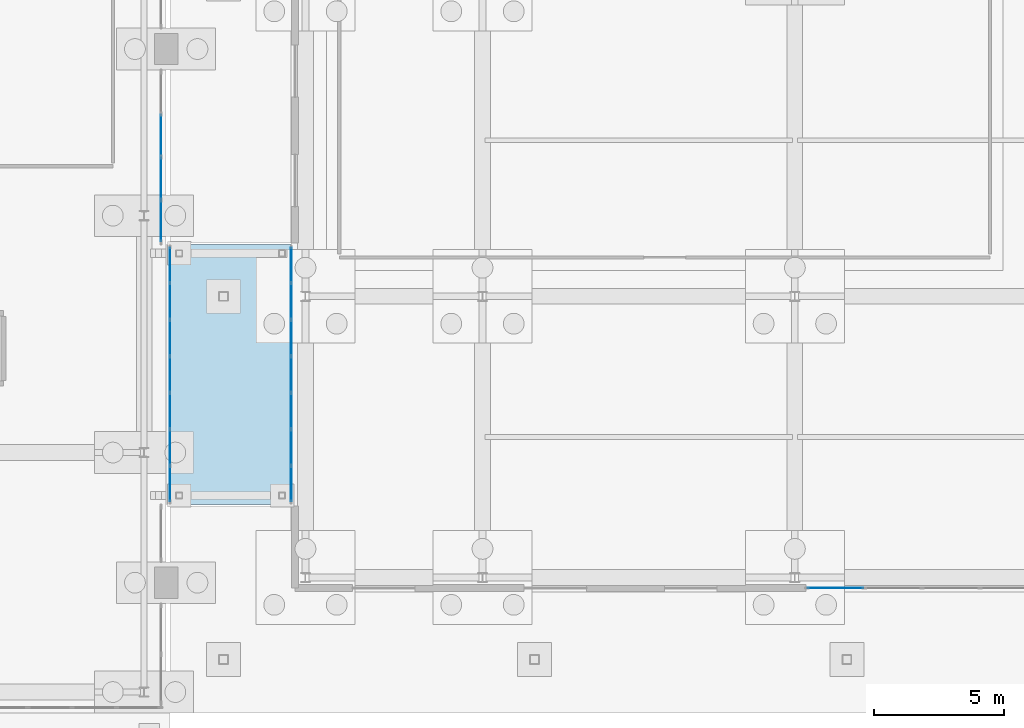
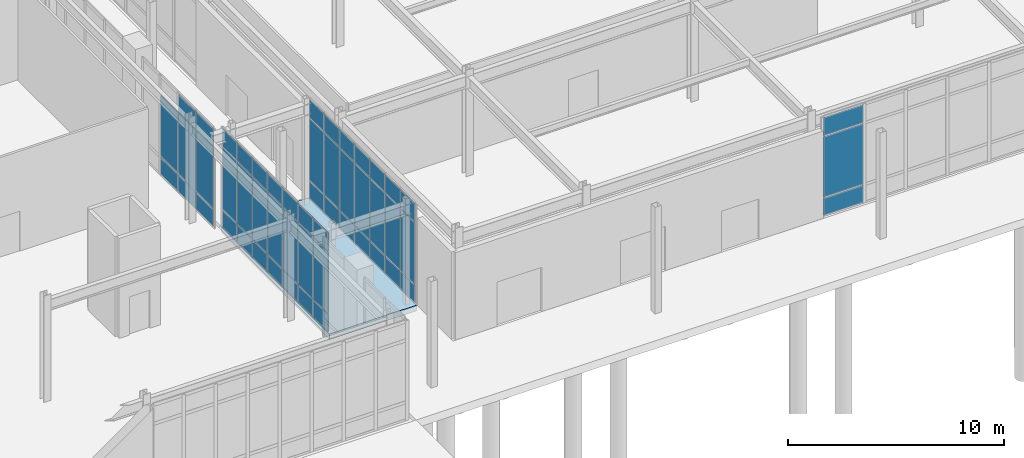
# One storey, part 88 of 143: 53 plates, 1 slab, 4 elements without a shape of their own.
"""IFC4 building model written with IfcOpenShell, lengths in metres."""

from ifc_helpers import new_model, si_unit, derived_unit, direction, frame, origin, origin_2d, place, context, subcontext, project, spatial, polyline, rectangle, outline, extrude, material, layer, layer_set, type_object, element, aggregate, save


model = new_model("IFC4")

# Units and contexts
model_context = context("Model", 3, precision=1e-05, world=origin(), true_north=direction((0.0, 1.0)))
body_context = subcontext(model_context, "Body", "Model", "MODEL_VIEW")
ifc_project = project(units=[si_unit("LENGTHUNIT", "METRE"), si_unit("AREAUNIT", "SQUARE_METRE"), si_unit("VOLUMEUNIT", "CUBIC_METRE"), si_unit("PLANEANGLEUNIT", "RADIAN"), si_unit("MASSUNIT", "GRAM", prefix="KILO"), derived_unit("THERMALTRANSMITTANCEUNIT", [(si_unit("MASSUNIT", "GRAM", prefix="KILO"), 1), (si_unit("TIMEUNIT", "SECOND"), -3), (si_unit("THERMODYNAMICTEMPERATUREUNIT", "KELVIN"), -1)])], contexts=[model_context])

# Site, building, storey
site_placement = place(None, origin())
site = spatial("IfcSite", under=ifc_project, at=site_placement, CompositionType="ELEMENT")
building_placement = place(site_placement, origin())
building = spatial("IfcBuilding", under=site, at=building_placement, Name="Valcora Ridge Arena", CompositionType="ELEMENT")
storey_placement = place(building_placement, origin())
storey = spatial("IfcBuildingStorey", under=building, at=storey_placement, Name="L00", CompositionType="ELEMENT", Elevation=0.0)

# Curtain wall, plates
ifc_material_1 = material(Name="Anodised dark bronze architectural aluminium 6063-T6", Category="aluminium")
ifc_layer_1 = layer(ifc_material_1, 0.14990234375, Name="Anodised dark bronze architectural aluminium 6063-T6")
ifc_layer_set_1 = layer_set([ifc_layer_1], Name="Anodised dark bronze architectural aluminium 6063-T6")
curtain_wall_type_1 = type_object("IfcCurtainWallType", Name="TY-CURTAINWALL-CW-BRG-098X57", PredefinedType="NOTDEFINED", material=ifc_layer_set_1)
curtain_wall_1_placement = place(storey_placement, origin())
curtain_wall_1 = element("IfcCurtainWall", 1, at=curtain_wall_1_placement, inside=storey, type_object=curtain_wall_type_1, Name="CW-BRG-098X57 CW-0350", PredefinedType="NOTDEFINED")
ifc_material_2 = material(Name="Low-iron solar-control double glazing SHGC 0.28", Category="glass")
ifc_layer_2 = layer(ifc_material_2, 0.028076171875, Name="Low-iron solar-control double glazing SHGC 0.28")
ifc_layer_set_2 = layer_set([ifc_layer_2], Name="Low-iron solar-control double glazing SHGC 0.28")
plate_type_1 = type_object("IfcPlateType", Name="TY-PLT-CWP-1331X0975", PredefinedType="CURTAIN_PANEL", material=ifc_layer_set_2)
plate_1_placement = place(storey_placement, frame((132.0, 8.79541015625, 0.050048828125), z_axis=(0.0, 0.0, 1.0), x_axis=(0.0, 1.0, 0.0)))
plate_1 = element("IfcPlate", 2, at=plate_1_placement, type_object=plate_type_1, Name="CW-0350/P00-00", PredefinedType="CURTAIN_PANEL", context=body_context, shape_type="SweptSolid", body=[
    extrude(rectangle(XDim=1.3310546875, YDim=0.028076171875, at=origin_2d()), origin(), (0.0, 0.0, 1.0), 0.97509765625),
])
plate_2_placement = place(storey_placement, frame((132.0, 17.20458984375, 0.050048828125), z_axis=(0.0, 0.0, 1.0), x_axis=(0.0, 1.0, 0.0)))
plate_2 = element("IfcPlate", 3, at=plate_2_placement, type_object=plate_type_1, Name="CW-0350/P06-00", PredefinedType="CURTAIN_PANEL", context=body_context, shape_type="SweptSolid", body=[
    extrude(rectangle(XDim=1.3310546875, YDim=0.028076171875, at=origin_2d()), origin(), (0.0, 0.0, 1.0), 0.97509765625),
])

curtain_wall_2_placement = place(storey_placement, origin())
curtain_wall_2 = element("IfcCurtainWall", 4, at=curtain_wall_2_placement, inside=storey, type_object=curtain_wall_type_1, Name="CW-BRG-098X57 CW-0351", PredefinedType="NOTDEFINED")
plate_3_placement = place(storey_placement, frame((136.64990234375, 8.79541015625, 0.050048828125), z_axis=(0.0, 0.0, 1.0), x_axis=(0.0, 1.0, 0.0)))
plate_3 = element("IfcPlate", 5, at=plate_3_placement, type_object=plate_type_1, Name="CW-0351/P00-00", PredefinedType="CURTAIN_PANEL", context=body_context, shape_type="SweptSolid", body=[
    extrude(rectangle(XDim=1.3310546875, YDim=0.028076171875, at=origin_2d()), origin(), (0.0, 0.0, 1.0), 0.97509765625),
])
plate_4_placement = place(storey_placement, frame((136.64990234375, 17.20458984375, 0.050048828125), z_axis=(0.0, 0.0, 1.0), x_axis=(0.0, 1.0, 0.0)))
plate_4 = element("IfcPlate", 6, at=plate_4_placement, type_object=plate_type_1, Name="CW-0351/P06-00", PredefinedType="CURTAIN_PANEL", context=body_context, shape_type="SweptSolid", body=[
    extrude(rectangle(XDim=1.3310546875, YDim=0.028076171875, at=origin_2d()), origin(), (0.0, 0.0, 1.0), 0.97509765625),
])

# Plate
ifc_layer_3 = layer(ifc_material_2, 0.028076171875, Name="Low-iron solar-control double glazing SHGC 0.28")
ifc_layer_set_3 = layer_set([ifc_layer_3], Name="Low-iron solar-control double glazing SHGC 0.28")
plate_type_2 = type_object("IfcPlateType", Name="TY-PLT-CWP-1331X1025", PredefinedType="CURTAIN_PANEL", material=ifc_layer_set_3)
plate_5_placement = place(storey_placement, frame((132.0, 8.79541015625, 4.60498046875), z_axis=(0.0, 0.0, 1.0), x_axis=(0.0, 1.0, 0.0)))
plate_5 = element("IfcPlate", 7, at=plate_5_placement, type_object=plate_type_2, Name="CW-0350/P00-02", PredefinedType="CURTAIN_PANEL", context=body_context, shape_type="SweptSolid", body=[
    extrude(rectangle(XDim=1.3310546875, YDim=0.028076171875, at=origin_2d()), origin(), (0.0, 0.0, 1.0), 1.02490234375),
])

plate_6_placement = place(storey_placement, frame((132.0, 17.20458984375, 4.60498046875), z_axis=(0.0, 0.0, 1.0), x_axis=(0.0, 1.0, 0.0)))
plate_6 = element("IfcPlate", 8, at=plate_6_placement, type_object=plate_type_2, Name="CW-0350/P06-02", PredefinedType="CURTAIN_PANEL", context=body_context, shape_type="SweptSolid", body=[
    extrude(rectangle(XDim=1.3310546875, YDim=0.028076171875, at=origin_2d()), origin(), (0.0, 0.0, 1.0), 1.02490234375),
])

plate_7_placement = place(storey_placement, frame((136.64990234375, 8.79541015625, 4.60498046875), z_axis=(0.0, 0.0, 1.0), x_axis=(0.0, 1.0, 0.0)))
plate_7 = element("IfcPlate", 9, at=plate_7_placement, type_object=plate_type_2, Name="CW-0351/P00-02", PredefinedType="CURTAIN_PANEL", context=body_context, shape_type="SweptSolid", body=[
    extrude(rectangle(XDim=1.3310546875, YDim=0.028076171875, at=origin_2d()), origin(), (0.0, 0.0, 1.0), 1.02490234375),
])

plate_8_placement = place(storey_placement, frame((136.64990234375, 17.20458984375, 4.60498046875), z_axis=(0.0, 0.0, 1.0), x_axis=(0.0, 1.0, 0.0)))
plate_8 = element("IfcPlate", 10, at=plate_8_placement, type_object=plate_type_2, Name="CW-0351/P06-02", PredefinedType="CURTAIN_PANEL", context=body_context, shape_type="SweptSolid", body=[
    extrude(rectangle(XDim=1.3310546875, YDim=0.028076171875, at=origin_2d()), origin(), (0.0, 0.0, 1.0), 1.02490234375),
])

ifc_layer_4 = layer(ifc_material_2, 0.028076171875, Name="Low-iron solar-control double glazing SHGC 0.28")
ifc_layer_set_4 = layer_set([ifc_layer_4], Name="Low-iron solar-control double glazing SHGC 0.28")
plate_type_3 = type_object("IfcPlateType", Name="TY-PLT-CWP-1331X3480", PredefinedType="CURTAIN_PANEL", material=ifc_layer_set_4)
plate_9_placement = place(storey_placement, frame((132.0, 8.79541015625, 1.074951171875), z_axis=(0.0, 0.0, 1.0), x_axis=(0.0, 1.0, 0.0)))
plate_9 = element("IfcPlate", 11, at=plate_9_placement, type_object=plate_type_3, Name="CW-0350/P00-01", PredefinedType="CURTAIN_PANEL", context=body_context, shape_type="SweptSolid", body=[
    extrude(rectangle(XDim=1.3310546875, YDim=0.028076171875, at=origin_2d()), origin(), (0.0, 0.0, 1.0), 3.47998046875),
])

plate_10_placement = place(storey_placement, frame((132.0, 17.20458984375, 1.074951171875), z_axis=(0.0, 0.0, 1.0), x_axis=(0.0, 1.0, 0.0)))
plate_10 = element("IfcPlate", 12, at=plate_10_placement, type_object=plate_type_3, Name="CW-0350/P06-01", PredefinedType="CURTAIN_PANEL", context=body_context, shape_type="SweptSolid", body=[
    extrude(rectangle(XDim=1.3310546875, YDim=0.028076171875, at=origin_2d()), origin(), (0.0, 0.0, 1.0), 3.47998046875),
])

plate_11_placement = place(storey_placement, frame((136.64990234375, 8.79541015625, 1.074951171875), z_axis=(0.0, 0.0, 1.0), x_axis=(0.0, 1.0, 0.0)))
plate_11 = element("IfcPlate", 13, at=plate_11_placement, type_object=plate_type_3, Name="CW-0351/P00-01", PredefinedType="CURTAIN_PANEL", context=body_context, shape_type="SweptSolid", body=[
    extrude(rectangle(XDim=1.3310546875, YDim=0.028076171875, at=origin_2d()), origin(), (0.0, 0.0, 1.0), 3.47998046875),
])

plate_12_placement = place(storey_placement, frame((136.64990234375, 17.20458984375, 1.074951171875), z_axis=(0.0, 0.0, 1.0), x_axis=(0.0, 1.0, 0.0)))
plate_12 = element("IfcPlate", 14, at=plate_12_placement, type_object=plate_type_3, Name="CW-0351/P06-01", PredefinedType="CURTAIN_PANEL", context=body_context, shape_type="SweptSolid", body=[
    extrude(rectangle(XDim=1.3310546875, YDim=0.028076171875, at=origin_2d()), origin(), (0.0, 0.0, 1.0), 3.47998046875),
])

ifc_layer_5 = layer(ifc_material_2, 0.028076171875, Name="Low-iron solar-control double glazing SHGC 0.28")
ifc_layer_set_5 = layer_set([ifc_layer_5], Name="Low-iron solar-control double glazing SHGC 0.28")
plate_type_4 = type_object("IfcPlateType", Name="TY-PLT-CWP-1355X0975", PredefinedType="CURTAIN_PANEL", material=ifc_layer_set_5)
plate_13_placement = place(storey_placement, frame((132.0, 10.1884765625, 0.050048828125), z_axis=(0.0, 0.0, 1.0), x_axis=(0.0, 1.0, 0.0)))
plate_13 = element("IfcPlate", 15, at=plate_13_placement, type_object=plate_type_4, Name="CW-0350/P01-00", PredefinedType="CURTAIN_PANEL", context=body_context, shape_type="SweptSolid", body=[
    extrude(rectangle(XDim=1.35498046875, YDim=0.028076171875, at=origin_2d()), origin(), (0.0, 0.0, 1.0), 0.97509765625),
])

plate_14_placement = place(storey_placement, frame((132.0, 15.8115234375, 0.050048828125), z_axis=(0.0, 0.0, 1.0), x_axis=(0.0, 1.0, 0.0)))
plate_14 = element("IfcPlate", 16, at=plate_14_placement, type_object=plate_type_4, Name="CW-0350/P05-00", PredefinedType="CURTAIN_PANEL", context=body_context, shape_type="SweptSolid", body=[
    extrude(rectangle(XDim=1.35498046875, YDim=0.028076171875, at=origin_2d()), origin(), (0.0, 0.0, 1.0), 0.97509765625),
])

plate_15_placement = place(storey_placement, frame((136.64990234375, 10.1884765625, 0.050048828125), z_axis=(0.0, 0.0, 1.0), x_axis=(0.0, 1.0, 0.0)))
plate_15 = element("IfcPlate", 17, at=plate_15_placement, type_object=plate_type_4, Name="CW-0351/P01-00", PredefinedType="CURTAIN_PANEL", context=body_context, shape_type="SweptSolid", body=[
    extrude(rectangle(XDim=1.35498046875, YDim=0.028076171875, at=origin_2d()), origin(), (0.0, 0.0, 1.0), 0.97509765625),
])

plate_16_placement = place(storey_placement, frame((136.64990234375, 15.8115234375, 0.050048828125), z_axis=(0.0, 0.0, 1.0), x_axis=(0.0, 1.0, 0.0)))
plate_16 = element("IfcPlate", 18, at=plate_16_placement, type_object=plate_type_4, Name="CW-0351/P05-00", PredefinedType="CURTAIN_PANEL", context=body_context, shape_type="SweptSolid", body=[
    extrude(rectangle(XDim=1.35498046875, YDim=0.028076171875, at=origin_2d()), origin(), (0.0, 0.0, 1.0), 0.97509765625),
])

ifc_layer_6 = layer(ifc_material_2, 0.028076171875, Name="Low-iron solar-control double glazing SHGC 0.28")
ifc_layer_set_6 = layer_set([ifc_layer_6], Name="Low-iron solar-control double glazing SHGC 0.28")
plate_type_5 = type_object("IfcPlateType", Name="TY-PLT-CWP-1355X1025", PredefinedType="CURTAIN_PANEL", material=ifc_layer_set_6)
plate_17_placement = place(storey_placement, frame((132.0, 10.1884765625, 4.60498046875), z_axis=(0.0, 0.0, 1.0), x_axis=(0.0, 1.0, 0.0)))
plate_17 = element("IfcPlate", 19, at=plate_17_placement, type_object=plate_type_5, Name="CW-0350/P01-02", PredefinedType="CURTAIN_PANEL", context=body_context, shape_type="SweptSolid", body=[
    extrude(rectangle(XDim=1.35498046875, YDim=0.028076171875, at=origin_2d()), origin(), (0.0, 0.0, 1.0), 1.02490234375),
])

plate_18_placement = place(storey_placement, frame((132.0, 15.8115234375, 4.60498046875), z_axis=(0.0, 0.0, 1.0), x_axis=(0.0, 1.0, 0.0)))
plate_18 = element("IfcPlate", 20, at=plate_18_placement, type_object=plate_type_5, Name="CW-0350/P05-02", PredefinedType="CURTAIN_PANEL", context=body_context, shape_type="SweptSolid", body=[
    extrude(rectangle(XDim=1.35498046875, YDim=0.028076171875, at=origin_2d()), origin(), (0.0, 0.0, 1.0), 1.02490234375),
])

plate_19_placement = place(storey_placement, frame((136.64990234375, 10.1884765625, 4.60498046875), z_axis=(0.0, 0.0, 1.0), x_axis=(0.0, 1.0, 0.0)))
plate_19 = element("IfcPlate", 21, at=plate_19_placement, type_object=plate_type_5, Name="CW-0351/P01-02", PredefinedType="CURTAIN_PANEL", context=body_context, shape_type="SweptSolid", body=[
    extrude(rectangle(XDim=1.35498046875, YDim=0.028076171875, at=origin_2d()), origin(), (0.0, 0.0, 1.0), 1.02490234375),
])

plate_20_placement = place(storey_placement, frame((136.64990234375, 15.8115234375, 4.60498046875), z_axis=(0.0, 0.0, 1.0), x_axis=(0.0, 1.0, 0.0)))
plate_20 = element("IfcPlate", 22, at=plate_20_placement, type_object=plate_type_5, Name="CW-0351/P05-02", PredefinedType="CURTAIN_PANEL", context=body_context, shape_type="SweptSolid", body=[
    extrude(rectangle(XDim=1.35498046875, YDim=0.028076171875, at=origin_2d()), origin(), (0.0, 0.0, 1.0), 1.02490234375),
])

ifc_layer_7 = layer(ifc_material_2, 0.028076171875, Name="Low-iron solar-control double glazing SHGC 0.28")
ifc_layer_set_7 = layer_set([ifc_layer_7], Name="Low-iron solar-control double glazing SHGC 0.28")
plate_type_6 = type_object("IfcPlateType", Name="TY-PLT-CWP-1355X3480", PredefinedType="CURTAIN_PANEL", material=ifc_layer_set_7)
plate_21_placement = place(storey_placement, frame((132.0, 10.1884765625, 1.074951171875), z_axis=(0.0, 0.0, 1.0), x_axis=(0.0, 1.0, 0.0)))
plate_21 = element("IfcPlate", 23, at=plate_21_placement, type_object=plate_type_6, Name="CW-0350/P01-01", PredefinedType="CURTAIN_PANEL", context=body_context, shape_type="SweptSolid", body=[
    extrude(rectangle(XDim=1.35498046875, YDim=0.028076171875, at=origin_2d()), origin(), (0.0, 0.0, 1.0), 3.47998046875),
])

plate_22_placement = place(storey_placement, frame((132.0, 15.8115234375, 1.074951171875), z_axis=(0.0, 0.0, 1.0), x_axis=(0.0, 1.0, 0.0)))
plate_22 = element("IfcPlate", 24, at=plate_22_placement, type_object=plate_type_6, Name="CW-0350/P05-01", PredefinedType="CURTAIN_PANEL", context=body_context, shape_type="SweptSolid", body=[
    extrude(rectangle(XDim=1.35498046875, YDim=0.028076171875, at=origin_2d()), origin(), (0.0, 0.0, 1.0), 3.47998046875),
])

plate_23_placement = place(storey_placement, frame((136.64990234375, 10.1884765625, 1.074951171875), z_axis=(0.0, 0.0, 1.0), x_axis=(0.0, 1.0, 0.0)))
plate_23 = element("IfcPlate", 25, at=plate_23_placement, type_object=plate_type_6, Name="CW-0351/P01-01", PredefinedType="CURTAIN_PANEL", context=body_context, shape_type="SweptSolid", body=[
    extrude(rectangle(XDim=1.35498046875, YDim=0.028076171875, at=origin_2d()), origin(), (0.0, 0.0, 1.0), 3.47998046875),
])

plate_24_placement = place(storey_placement, frame((136.64990234375, 15.8115234375, 1.074951171875), z_axis=(0.0, 0.0, 1.0), x_axis=(0.0, 1.0, 0.0)))
plate_24 = element("IfcPlate", 26, at=plate_24_placement, type_object=plate_type_6, Name="CW-0351/P05-01", PredefinedType="CURTAIN_PANEL", context=body_context, shape_type="SweptSolid", body=[
    extrude(rectangle(XDim=1.35498046875, YDim=0.028076171875, at=origin_2d()), origin(), (0.0, 0.0, 1.0), 3.47998046875),
])

ifc_layer_8 = layer(ifc_material_2, 0.028076171875, Name="Low-iron solar-control double glazing SHGC 0.28")
ifc_layer_set_8 = layer_set([ifc_layer_8], Name="Low-iron solar-control double glazing SHGC 0.28")
plate_type_7 = type_object("IfcPlateType", Name="TY-PLT-CWP-1356X0975", PredefinedType="CURTAIN_PANEL", material=ifc_layer_set_8)
plate_25_placement = place(storey_placement, frame((132.0, 11.593994140625, 0.050048828125), z_axis=(0.0, 0.0, 1.0), x_axis=(0.0, 1.0, 0.0)))
plate_25 = element("IfcPlate", 27, at=plate_25_placement, type_object=plate_type_7, Name="CW-0350/P02-00", PredefinedType="CURTAIN_PANEL", context=body_context, shape_type="SweptSolid", body=[
    extrude(rectangle(XDim=1.35595703125, YDim=0.028076171875, at=origin_2d()), origin(), (0.0, 0.0, 1.0), 0.97509765625),
])

plate_26_placement = place(storey_placement, frame((132.0, 13.0, 0.050048828125), z_axis=(0.0, 0.0, 1.0), x_axis=(0.0, 1.0, 0.0)))
plate_26 = element("IfcPlate", 28, at=plate_26_placement, type_object=plate_type_7, Name="CW-0350/P03-00", PredefinedType="CURTAIN_PANEL", context=body_context, shape_type="SweptSolid", body=[
    extrude(rectangle(XDim=1.35595703125, YDim=0.028076171875, at=origin_2d()), origin(), (0.0, 0.0, 1.0), 0.97509765625),
])

plate_27_placement = place(storey_placement, frame((132.0, 14.406005859375, 0.050048828125), z_axis=(0.0, 0.0, 1.0), x_axis=(0.0, 1.0, 0.0)))
plate_27 = element("IfcPlate", 29, at=plate_27_placement, type_object=plate_type_7, Name="CW-0350/P04-00", PredefinedType="CURTAIN_PANEL", context=body_context, shape_type="SweptSolid", body=[
    extrude(rectangle(XDim=1.35595703125, YDim=0.028076171875, at=origin_2d()), origin(), (0.0, 0.0, 1.0), 0.97509765625),
])

plate_28_placement = place(storey_placement, frame((136.64990234375, 11.593994140625, 0.050048828125), z_axis=(0.0, 0.0, 1.0), x_axis=(0.0, 1.0, 0.0)))
plate_28 = element("IfcPlate", 30, at=plate_28_placement, type_object=plate_type_7, Name="CW-0351/P02-00", PredefinedType="CURTAIN_PANEL", context=body_context, shape_type="SweptSolid", body=[
    extrude(rectangle(XDim=1.35595703125, YDim=0.028076171875, at=origin_2d()), origin(), (0.0, 0.0, 1.0), 0.97509765625),
])

plate_29_placement = place(storey_placement, frame((136.64990234375, 13.0, 0.050048828125), z_axis=(0.0, 0.0, 1.0), x_axis=(0.0, 1.0, 0.0)))
plate_29 = element("IfcPlate", 31, at=plate_29_placement, type_object=plate_type_7, Name="CW-0351/P03-00", PredefinedType="CURTAIN_PANEL", context=body_context, shape_type="SweptSolid", body=[
    extrude(rectangle(XDim=1.35595703125, YDim=0.028076171875, at=origin_2d()), origin(), (0.0, 0.0, 1.0), 0.97509765625),
])

plate_30_placement = place(storey_placement, frame((136.64990234375, 14.406005859375, 0.050048828125), z_axis=(0.0, 0.0, 1.0), x_axis=(0.0, 1.0, 0.0)))
plate_30 = element("IfcPlate", 32, at=plate_30_placement, type_object=plate_type_7, Name="CW-0351/P04-00", PredefinedType="CURTAIN_PANEL", context=body_context, shape_type="SweptSolid", body=[
    extrude(rectangle(XDim=1.35595703125, YDim=0.028076171875, at=origin_2d()), origin(), (0.0, 0.0, 1.0), 0.97509765625),
])

ifc_layer_9 = layer(ifc_material_2, 0.028076171875, Name="Low-iron solar-control double glazing SHGC 0.28")
ifc_layer_set_9 = layer_set([ifc_layer_9], Name="Low-iron solar-control double glazing SHGC 0.28")
plate_type_8 = type_object("IfcPlateType", Name="TY-PLT-CWP-1356X1025", PredefinedType="CURTAIN_PANEL", material=ifc_layer_set_9)
plate_31_placement = place(storey_placement, frame((132.0, 11.593994140625, 4.60498046875), z_axis=(0.0, 0.0, 1.0), x_axis=(0.0, 1.0, 0.0)))
plate_31 = element("IfcPlate", 33, at=plate_31_placement, type_object=plate_type_8, Name="CW-0350/P02-02", PredefinedType="CURTAIN_PANEL", context=body_context, shape_type="SweptSolid", body=[
    extrude(rectangle(XDim=1.35595703125, YDim=0.028076171875, at=origin_2d()), origin(), (0.0, 0.0, 1.0), 1.02490234375),
])

plate_32_placement = place(storey_placement, frame((132.0, 13.0, 4.60498046875), z_axis=(0.0, 0.0, 1.0), x_axis=(0.0, 1.0, 0.0)))
plate_32 = element("IfcPlate", 34, at=plate_32_placement, type_object=plate_type_8, Name="CW-0350/P03-02", PredefinedType="CURTAIN_PANEL", context=body_context, shape_type="SweptSolid", body=[
    extrude(rectangle(XDim=1.35595703125, YDim=0.028076171875, at=origin_2d()), origin(), (0.0, 0.0, 1.0), 1.02490234375),
])

plate_33_placement = place(storey_placement, frame((132.0, 14.406005859375, 4.60498046875), z_axis=(0.0, 0.0, 1.0), x_axis=(0.0, 1.0, 0.0)))
plate_33 = element("IfcPlate", 35, at=plate_33_placement, type_object=plate_type_8, Name="CW-0350/P04-02", PredefinedType="CURTAIN_PANEL", context=body_context, shape_type="SweptSolid", body=[
    extrude(rectangle(XDim=1.35595703125, YDim=0.028076171875, at=origin_2d()), origin(), (0.0, 0.0, 1.0), 1.02490234375),
])

plate_34_placement = place(storey_placement, frame((136.64990234375, 11.593994140625, 4.60498046875), z_axis=(0.0, 0.0, 1.0), x_axis=(0.0, 1.0, 0.0)))
plate_34 = element("IfcPlate", 36, at=plate_34_placement, type_object=plate_type_8, Name="CW-0351/P02-02", PredefinedType="CURTAIN_PANEL", context=body_context, shape_type="SweptSolid", body=[
    extrude(rectangle(XDim=1.35595703125, YDim=0.028076171875, at=origin_2d()), origin(), (0.0, 0.0, 1.0), 1.02490234375),
])

plate_35_placement = place(storey_placement, frame((136.64990234375, 13.0, 4.60498046875), z_axis=(0.0, 0.0, 1.0), x_axis=(0.0, 1.0, 0.0)))
plate_35 = element("IfcPlate", 37, at=plate_35_placement, type_object=plate_type_8, Name="CW-0351/P03-02", PredefinedType="CURTAIN_PANEL", context=body_context, shape_type="SweptSolid", body=[
    extrude(rectangle(XDim=1.35595703125, YDim=0.028076171875, at=origin_2d()), origin(), (0.0, 0.0, 1.0), 1.02490234375),
])

plate_36_placement = place(storey_placement, frame((136.64990234375, 14.406005859375, 4.60498046875), z_axis=(0.0, 0.0, 1.0), x_axis=(0.0, 1.0, 0.0)))
plate_36 = element("IfcPlate", 38, at=plate_36_placement, type_object=plate_type_8, Name="CW-0351/P04-02", PredefinedType="CURTAIN_PANEL", context=body_context, shape_type="SweptSolid", body=[
    extrude(rectangle(XDim=1.35595703125, YDim=0.028076171875, at=origin_2d()), origin(), (0.0, 0.0, 1.0), 1.02490234375),
])

ifc_layer_10 = layer(ifc_material_2, 0.028076171875, Name="Low-iron solar-control double glazing SHGC 0.28")
ifc_layer_set_10 = layer_set([ifc_layer_10], Name="Low-iron solar-control double glazing SHGC 0.28")
plate_type_9 = type_object("IfcPlateType", Name="TY-PLT-CWP-1356X3480", PredefinedType="CURTAIN_PANEL", material=ifc_layer_set_10)
plate_37_placement = place(storey_placement, frame((132.0, 11.593994140625, 1.074951171875), z_axis=(0.0, 0.0, 1.0), x_axis=(0.0, 1.0, 0.0)))
plate_37 = element("IfcPlate", 39, at=plate_37_placement, type_object=plate_type_9, Name="CW-0350/P02-01", PredefinedType="CURTAIN_PANEL", context=body_context, shape_type="SweptSolid", body=[
    extrude(rectangle(XDim=1.35595703125, YDim=0.028076171875, at=origin_2d()), origin(), (0.0, 0.0, 1.0), 3.47998046875),
])

plate_38_placement = place(storey_placement, frame((132.0, 13.0, 1.074951171875), z_axis=(0.0, 0.0, 1.0), x_axis=(0.0, 1.0, 0.0)))
plate_38 = element("IfcPlate", 40, at=plate_38_placement, type_object=plate_type_9, Name="CW-0350/P03-01", PredefinedType="CURTAIN_PANEL", context=body_context, shape_type="SweptSolid", body=[
    extrude(rectangle(XDim=1.35595703125, YDim=0.028076171875, at=origin_2d()), origin(), (0.0, 0.0, 1.0), 3.47998046875),
])

plate_39_placement = place(storey_placement, frame((132.0, 14.406005859375, 1.074951171875), z_axis=(0.0, 0.0, 1.0), x_axis=(0.0, 1.0, 0.0)))
plate_39 = element("IfcPlate", 41, at=plate_39_placement, type_object=plate_type_9, Name="CW-0350/P04-01", PredefinedType="CURTAIN_PANEL", context=body_context, shape_type="SweptSolid", body=[
    extrude(rectangle(XDim=1.35595703125, YDim=0.028076171875, at=origin_2d()), origin(), (0.0, 0.0, 1.0), 3.47998046875),
])

aggregate(curtain_wall_1, [plate_1, plate_9, plate_5, plate_13, plate_21, plate_17, plate_25, plate_37, plate_31, plate_26, plate_38, plate_32, plate_27, plate_39, plate_33, plate_14, plate_22, plate_18, plate_2, plate_10, plate_6])

plate_40_placement = place(storey_placement, frame((136.64990234375, 11.593994140625, 1.074951171875), z_axis=(0.0, 0.0, 1.0), x_axis=(0.0, 1.0, 0.0)))
plate_40 = element("IfcPlate", 42, at=plate_40_placement, type_object=plate_type_9, Name="CW-0351/P02-01", PredefinedType="CURTAIN_PANEL", context=body_context, shape_type="SweptSolid", body=[
    extrude(rectangle(XDim=1.35595703125, YDim=0.028076171875, at=origin_2d()), origin(), (0.0, 0.0, 1.0), 3.47998046875),
])

plate_41_placement = place(storey_placement, frame((136.64990234375, 13.0, 1.074951171875), z_axis=(0.0, 0.0, 1.0), x_axis=(0.0, 1.0, 0.0)))
plate_41 = element("IfcPlate", 43, at=plate_41_placement, type_object=plate_type_9, Name="CW-0351/P03-01", PredefinedType="CURTAIN_PANEL", context=body_context, shape_type="SweptSolid", body=[
    extrude(rectangle(XDim=1.35595703125, YDim=0.028076171875, at=origin_2d()), origin(), (0.0, 0.0, 1.0), 3.47998046875),
])

plate_42_placement = place(storey_placement, frame((136.64990234375, 14.406005859375, 1.074951171875), z_axis=(0.0, 0.0, 1.0), x_axis=(0.0, 1.0, 0.0)))
plate_42 = element("IfcPlate", 44, at=plate_42_placement, type_object=plate_type_9, Name="CW-0351/P04-01", PredefinedType="CURTAIN_PANEL", context=body_context, shape_type="SweptSolid", body=[
    extrude(rectangle(XDim=1.35595703125, YDim=0.028076171875, at=origin_2d()), origin(), (0.0, 0.0, 1.0), 3.47998046875),
])

aggregate(curtain_wall_2, [plate_3, plate_11, plate_7, plate_15, plate_23, plate_19, plate_28, plate_40, plate_34, plate_29, plate_41, plate_35, plate_30, plate_42, plate_36, plate_16, plate_24, plate_20, plate_4, plate_12, plate_8])

# Curtain wall, plates
ifc_layer_11 = layer(ifc_material_1, 0.179931640625, Name="Anodised dark bronze architectural aluminium 6063-T6")
ifc_layer_set_11 = layer_set([ifc_layer_11], Name="Anodised dark bronze architectural aluminium 6063-T6")
curtain_wall_type_2 = type_object("IfcCurtainWallType", Name="TY-CURTAINWALL-CW-V3-LANCET-066X56", PredefinedType="NOTDEFINED", material=ifc_layer_set_11)
curtain_wall_3_placement = place(storey_placement, origin())
curtain_wall_3 = element("IfcCurtainWall", 45, at=curtain_wall_3_placement, inside=storey, type_object=curtain_wall_type_2, Name="CW-V3-LANCET-066X56 CW-0004", PredefinedType="NOTDEFINED")
ifc_layer_12 = layer(ifc_material_2, 0.031982421875, Name="Low-iron solar-control double glazing SHGC 0.28")
ifc_layer_set_12 = layer_set([ifc_layer_12], Name="Low-iron solar-control double glazing SHGC 0.28")
plate_type_10 = type_object("IfcPlateType", Name="TY-PLT-CWP-1563X0960", PredefinedType="CURTAIN_PANEL", material=ifc_layer_set_12)
plate_43_placement = place(storey_placement, frame((131.64990234375, 18.8916015625, 0.06005859375), z_axis=(0.0, 0.0, 1.0), x_axis=(0.0, 1.0, 0.0)))
plate_43 = element("IfcPlate", 46, at=plate_43_placement, type_object=plate_type_10, Name="CW-0004/P00-00", PredefinedType="CURTAIN_PANEL", context=body_context, shape_type="SweptSolid", body=[
    extrude(rectangle(XDim=1.56298828125, YDim=0.031982421875, at=origin_2d()), origin(), (0.0, 0.0, 1.0), 0.9599609375),
])
ifc_layer_13 = layer(ifc_material_2, 0.031982421875, Name="Low-iron solar-control double glazing SHGC 0.28")
ifc_layer_set_13 = layer_set([ifc_layer_13], Name="Low-iron solar-control double glazing SHGC 0.28")
plate_type_11 = type_object("IfcPlateType", Name="TY-PLT-CWP-1563X1010", PredefinedType="CURTAIN_PANEL", material=ifc_layer_set_13)
plate_44_placement = place(storey_placement, frame((131.64990234375, 18.8916015625, 4.56982421875), z_axis=(0.0, 0.0, 1.0), x_axis=(0.0, 1.0, 0.0)))
plate_44 = element("IfcPlate", 47, at=plate_44_placement, type_object=plate_type_11, Name="CW-0004/P00-02", PredefinedType="CURTAIN_PANEL", context=body_context, shape_type="SweptSolid", body=[
    extrude(rectangle(XDim=1.56298828125, YDim=0.031982421875, at=origin_2d()), origin(), (0.0, 0.0, 1.0), 1.010009765625),
])
ifc_layer_14 = layer(ifc_material_2, 0.031982421875, Name="Low-iron solar-control double glazing SHGC 0.28")
ifc_layer_set_14 = layer_set([ifc_layer_14], Name="Low-iron solar-control double glazing SHGC 0.28")
plate_type_12 = type_object("IfcPlateType", Name="TY-PLT-CWP-1563X3430", PredefinedType="CURTAIN_PANEL", material=ifc_layer_set_14)
plate_45_placement = place(storey_placement, frame((131.64990234375, 18.8916015625, 1.080078125), z_axis=(0.0, 0.0, 1.0), x_axis=(0.0, 1.0, 0.0)))
plate_45 = element("IfcPlate", 48, at=plate_45_placement, type_object=plate_type_12, Name="CW-0004/P00-01", PredefinedType="CURTAIN_PANEL", context=body_context, shape_type="SweptSolid", body=[
    extrude(rectangle(XDim=1.56298828125, YDim=0.031982421875, at=origin_2d()), origin(), (0.0, 0.0, 1.0), 3.429931640625),
])
ifc_layer_15 = layer(ifc_material_2, 0.031982421875, Name="Low-iron solar-control double glazing SHGC 0.28")
ifc_layer_set_15 = layer_set([ifc_layer_15], Name="Low-iron solar-control double glazing SHGC 0.28")
plate_type_13 = type_object("IfcPlateType", Name="TY-PLT-CWP-1592X0960", PredefinedType="CURTAIN_PANEL", material=ifc_layer_set_15)
plate_46_placement = place(storey_placement, frame((131.64990234375, 20.529052734375, 0.06005859375), z_axis=(0.0, 0.0, 1.0), x_axis=(0.0, 1.0, 0.0)))
plate_46 = element("IfcPlate", 49, at=plate_46_placement, type_object=plate_type_13, Name="CW-0004/P01-00", PredefinedType="CURTAIN_PANEL", context=body_context, shape_type="SweptSolid", body=[
    extrude(rectangle(XDim=1.592041015625, YDim=0.031982421875, at=origin_2d()), origin(), (0.0, 0.0, 1.0), 0.9599609375),
])
ifc_layer_16 = layer(ifc_material_2, 0.031982421875, Name="Low-iron solar-control double glazing SHGC 0.28")
ifc_layer_set_16 = layer_set([ifc_layer_16], Name="Low-iron solar-control double glazing SHGC 0.28")
plate_type_14 = type_object("IfcPlateType", Name="TY-PLT-CWP-1592X1010", PredefinedType="CURTAIN_PANEL", material=ifc_layer_set_16)
plate_47_placement = place(storey_placement, frame((131.64990234375, 20.529052734375, 4.56982421875), z_axis=(0.0, 0.0, 1.0), x_axis=(0.0, 1.0, 0.0)))
plate_47 = element("IfcPlate", 50, at=plate_47_placement, type_object=plate_type_14, Name="CW-0004/P01-02", PredefinedType="CURTAIN_PANEL", context=body_context, shape_type="SweptSolid", body=[
    extrude(rectangle(XDim=1.592041015625, YDim=0.031982421875, at=origin_2d()), origin(), (0.0, 0.0, 1.0), 1.010009765625),
])
ifc_layer_17 = layer(ifc_material_2, 0.031982421875, Name="Low-iron solar-control double glazing SHGC 0.28")
ifc_layer_set_17 = layer_set([ifc_layer_17], Name="Low-iron solar-control double glazing SHGC 0.28")
plate_type_15 = type_object("IfcPlateType", Name="TY-PLT-CWP-1592X3430", PredefinedType="CURTAIN_PANEL", material=ifc_layer_set_17)
plate_48_placement = place(storey_placement, frame((131.64990234375, 20.529052734375, 1.080078125), z_axis=(0.0, 0.0, 1.0), x_axis=(0.0, 1.0, 0.0)))
plate_48 = element("IfcPlate", 51, at=plate_48_placement, type_object=plate_type_15, Name="CW-0004/P01-01", PredefinedType="CURTAIN_PANEL", context=body_context, shape_type="SweptSolid", body=[
    extrude(rectangle(XDim=1.592041015625, YDim=0.031982421875, at=origin_2d()), origin(), (0.0, 0.0, 1.0), 3.429931640625),
])
ifc_layer_18 = layer(ifc_material_2, 0.031982421875, Name="Low-iron solar-control double glazing SHGC 0.28")
ifc_layer_set_18 = layer_set([ifc_layer_18], Name="Low-iron solar-control double glazing SHGC 0.28")
plate_type_16 = type_object("IfcPlateType", Name="TY-PLT-CWP-1593X0960", PredefinedType="CURTAIN_PANEL", material=ifc_layer_set_18)
plate_49_placement = place(storey_placement, frame((131.64990234375, 22.181396484375, 0.06005859375), z_axis=(0.0, 0.0, 1.0), x_axis=(0.0, 1.0, 0.0)))
plate_49 = element("IfcPlate", 52, at=plate_49_placement, type_object=plate_type_16, Name="CW-0004/P02-00", PredefinedType="CURTAIN_PANEL", context=body_context, shape_type="SweptSolid", body=[
    extrude(rectangle(XDim=1.593017578125, YDim=0.031982421875, at=origin_2d()), origin(), (0.0, 0.0, 1.0), 0.9599609375),
])
ifc_layer_19 = layer(ifc_material_2, 0.031982421875, Name="Low-iron solar-control double glazing SHGC 0.28")
ifc_layer_set_19 = layer_set([ifc_layer_19], Name="Low-iron solar-control double glazing SHGC 0.28")
plate_type_17 = type_object("IfcPlateType", Name="TY-PLT-CWP-1593X3430", PredefinedType="CURTAIN_PANEL", material=ifc_layer_set_19)
plate_50_placement = place(storey_placement, frame((131.64990234375, 22.181396484375, 1.080078125), z_axis=(0.0, 0.0, 1.0), x_axis=(0.0, 1.0, 0.0)))
plate_50 = element("IfcPlate", 53, at=plate_50_placement, type_object=plate_type_17, Name="CW-0004/P02-01", PredefinedType="CURTAIN_PANEL", context=body_context, shape_type="SweptSolid", body=[
    extrude(rectangle(XDim=1.593017578125, YDim=0.031982421875, at=origin_2d()), origin(), (0.0, 0.0, 1.0), 3.429931640625),
])
aggregate(curtain_wall_3, [plate_43, plate_45, plate_44, plate_46, plate_48, plate_47, plate_49, plate_50])

ifc_layer_20 = layer(ifc_material_1, 0.179931640625, Name="Anodised dark bronze architectural aluminium 6063-T6")
ifc_layer_set_20 = layer_set([ifc_layer_20], Name="Anodised dark bronze architectural aluminium 6063-T6")
curtain_wall_type_3 = type_object("IfcCurtainWallType", Name="TY-CURTAINWALL-CW-V2-GLAZ-111X56", PredefinedType="NOTDEFINED", material=ifc_layer_set_20)
curtain_wall_4_placement = place(storey_placement, origin())
curtain_wall_4 = element("IfcCurtainWall", 54, at=curtain_wall_4_placement, inside=storey, type_object=curtain_wall_type_3, Name="CW-V2-GLAZ-111X56 CW-0025", PredefinedType="NOTDEFINED")
ifc_layer_21 = layer(ifc_material_2, 0.028076171875, Name="Low-iron solar-control double glazing SHGC 0.28")
ifc_layer_set_21 = layer_set([ifc_layer_21], Name="Low-iron solar-control double glazing SHGC 0.28")
plate_type_18 = type_object("IfcPlateType", Name="TY-PLT-CWP-2134X0975", PredefinedType="CURTAIN_PANEL", material=ifc_layer_set_21)
plate_51_placement = place(storey_placement, frame((157.56640625, 4.800048828125, 0.050048828125), z_axis=(0.0, 0.0, 1.0), x_axis=(1.0, 0.0, 0.0)))
plate_51 = element("IfcPlate", 55, at=plate_51_placement, type_object=plate_type_18, Name="CW-0025/P00-00", PredefinedType="CURTAIN_PANEL", context=body_context, shape_type="SweptSolid", body=[
    extrude(rectangle(XDim=2.134033203125, YDim=0.028076171875, at=origin_2d()), origin(), (0.0, 0.0, 1.0), 0.97509765625),
])
ifc_layer_22 = layer(ifc_material_2, 0.028076171875, Name="Low-iron solar-control double glazing SHGC 0.28")
ifc_layer_set_22 = layer_set([ifc_layer_22], Name="Low-iron solar-control double glazing SHGC 0.28")
plate_type_19 = type_object("IfcPlateType", Name="TY-PLT-CWP-2134X1025", PredefinedType="CURTAIN_PANEL", material=ifc_layer_set_22)
plate_52_placement = place(storey_placement, frame((157.56640625, 4.800048828125, 4.545166015625), z_axis=(0.0, 0.0, 1.0), x_axis=(1.0, 0.0, 0.0)))
plate_52 = element("IfcPlate", 56, at=plate_52_placement, type_object=plate_type_19, Name="CW-0025/P00-02", PredefinedType="CURTAIN_PANEL", context=body_context, shape_type="SweptSolid", body=[
    extrude(rectangle(XDim=2.134033203125, YDim=0.028076171875, at=origin_2d()), origin(), (0.0, 0.0, 1.0), 1.02490234375),
])
ifc_layer_23 = layer(ifc_material_2, 0.028076171875, Name="Low-iron solar-control double glazing SHGC 0.28")
ifc_layer_set_23 = layer_set([ifc_layer_23], Name="Low-iron solar-control double glazing SHGC 0.28")
plate_type_20 = type_object("IfcPlateType", Name="TY-PLT-CWP-2134X3420", PredefinedType="CURTAIN_PANEL", material=ifc_layer_set_23)
plate_53_placement = place(storey_placement, frame((157.56640625, 4.800048828125, 1.074951171875), z_axis=(0.0, 0.0, 1.0), x_axis=(1.0, 0.0, 0.0)))
plate_53 = element("IfcPlate", 57, at=plate_53_placement, type_object=plate_type_20, Name="CW-0025/P00-01", PredefinedType="CURTAIN_PANEL", context=body_context, shape_type="SweptSolid", body=[
    extrude(rectangle(XDim=2.134033203125, YDim=0.028076171875, at=origin_2d()), origin(), (0.0, 0.0, 1.0), 3.419921875),
])
aggregate(curtain_wall_4, [plate_51, plate_53, plate_52])

# Slab
ifc_material_3 = material(Name="Concrete C40/50", Category="concrete")
ifc_layer_24 = layer(ifc_material_3, 0.320068359375, Name="Concrete C40/50")
ifc_layer_set_24 = layer_set([ifc_layer_24], Name="Concrete C40/50")
slab_type = type_object("IfcSlabType", Name="TY-SLAB-SL-BRG-SJ2-L00", PredefinedType="FLOOR", material=ifc_layer_set_24)
slab_placement = place(storey_placement, frame((0.0, 0.0, -0.320068359375)))
element("IfcSlab", 58, at=slab_placement, inside=storey, type_object=slab_type, Name="SL-BRG-SJ2-L00 SLB-0082", PredefinedType="FLOOR", context=body_context, shape_type="SweptSolid", body=[
    extrude(outline(polyline([(136.64990234375, 8.0), (136.64990234375, 18.0), (132.0, 18.0), (132.0, 8.0), (136.64990234375, 8.0)])), origin(), (0.0, 0.0, 1.0), 0.320068359375),
])

save(model, "model.ifc")
